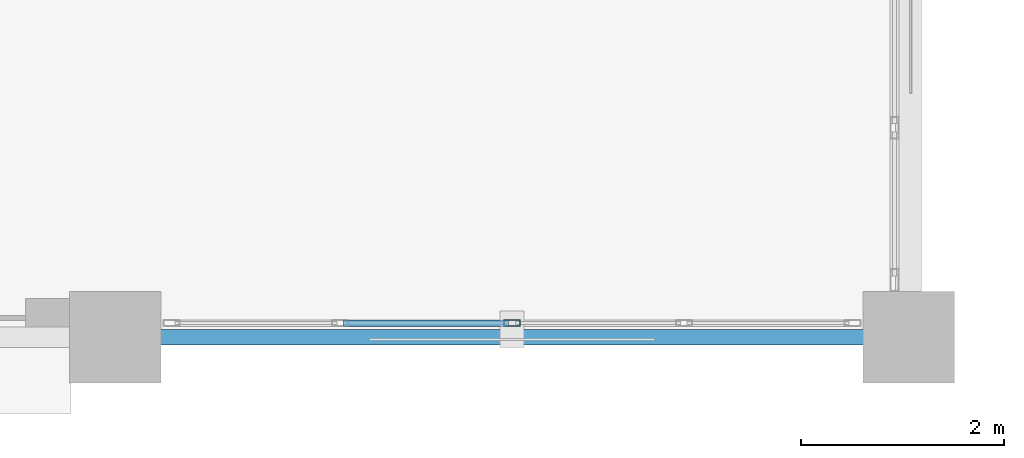
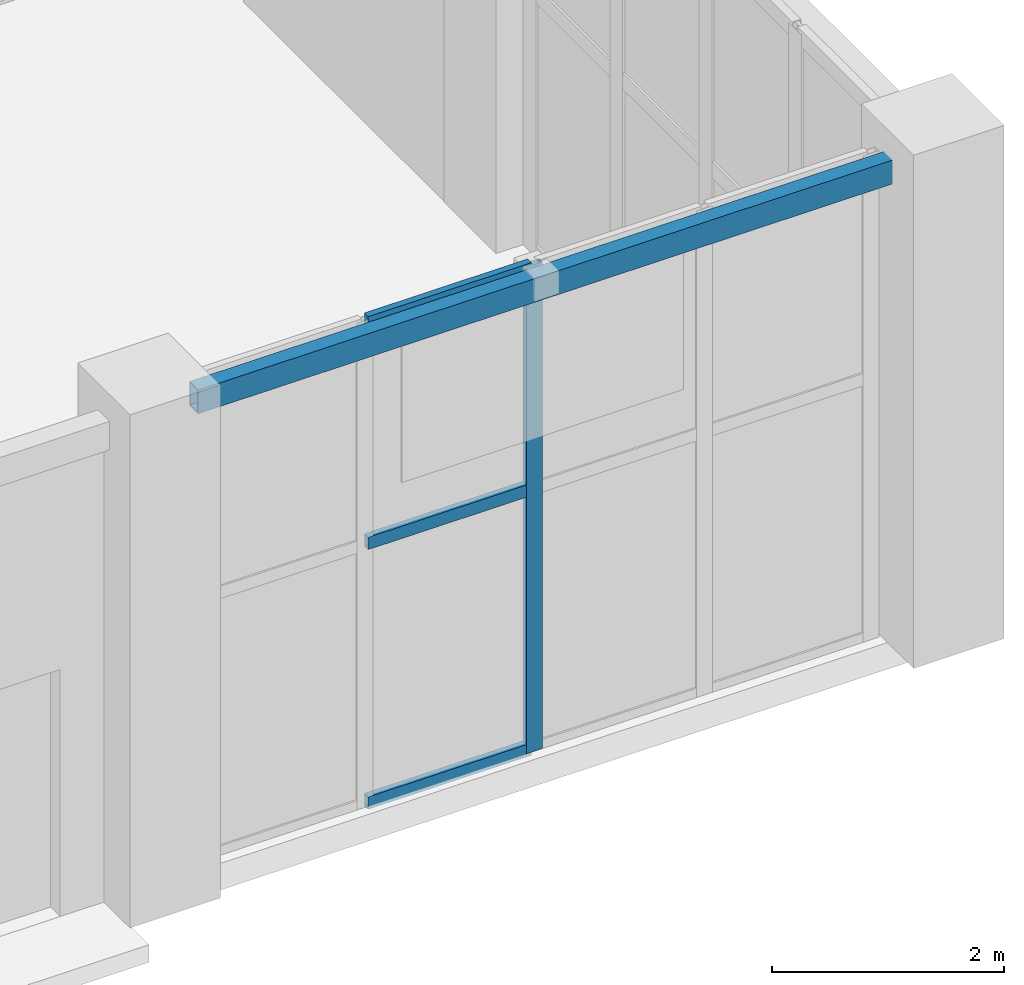
# One storey, part 79 of 139: 4 members, 1 beam, 1 element without a shape of its own.
"""IFC4 building model written with IfcOpenShell, lengths in metres."""

from ifc_helpers import new_model, si_unit, direction, frame, origin, origin_2d, place, context, subcontext, project, spatial, hollow_rectangle, extrude, material, layer, layer_set, material_profile, profile_set, type_object, element, aggregate, save


model = new_model("IFC4")

# Units and contexts
model_context = context("Model", 3, precision=1e-05, world=origin(), true_north=direction((0.0, 1.0)))
body_context = subcontext(model_context, "Body", "Model", "MODEL_VIEW")
ifc_project = project(units=[si_unit("LENGTHUNIT", "METRE"), si_unit("AREAUNIT", "SQUARE_METRE"), si_unit("VOLUMEUNIT", "CUBIC_METRE"), si_unit("PLANEANGLEUNIT", "RADIAN"), si_unit("MASSUNIT", "GRAM", prefix="KILO")], contexts=[model_context])

# Site, building, storey
site_placement = place(None, origin())
site = spatial("IfcSite", under=ifc_project, at=site_placement, CompositionType="ELEMENT")
building_placement = place(site_placement, origin())
building = spatial("IfcBuilding", under=site, at=building_placement, Name="Xicomal Pleat Aquarium", CompositionType="ELEMENT")
storey_placement = place(building_placement, origin())
storey = spatial("IfcBuildingStorey", under=building, at=storey_placement, Name="L01", CompositionType="ELEMENT", Elevation=0.0)

# Beam
ifc_material_1 = material(Name="Structural steel A500 Gr C", Category="steel")
ifc_material_profile_1 = material_profile(ifc_material_1, hollow_rectangle(XDim=0.14990234375, YDim=0.25, WallThickness=0.010009765625, at=origin_2d()), Name="OR 250x150x10")
ifc_profile_set_1 = profile_set([ifc_material_profile_1], Name="Structural steel A500 Gr C")
beam_type = type_object("IfcBeamType", Name="BM-STL-OR250", PredefinedType="SPANDREL", material=ifc_profile_set_1)
beam_placement = place(storey_placement, frame((157.64501953125, 0.800048828125, 4.9951171875), z_axis=(1.0, 0.0, 0.0), x_axis=(0.0, 1.0, 0.0)))
element("IfcBeam", 1, at=beam_placement, inside=storey, type_object=beam_type, Name="L01 framing beam FGX-L01-20-21-A", PredefinedType="SPANDREL", context=body_context, shape_type="SweptSolid", body=[
    extrude(hollow_rectangle(XDim=0.14990234375, YDim=0.25, WallThickness=0.010009765625, at=origin_2d()), origin(), (0.0, 0.0, 1.0), 6.909912109375),
])

# Curtain wall, members
ifc_material_2 = material(Name="Bronze anodized aluminium 6063-T6", Category="aluminium")
ifc_layer = layer(ifc_material_2, 0.159912109375)
ifc_layer_set = layer_set([ifc_layer], Name="Bronze anodized aluminium 6063-T6")
curtain_wall_type = type_object("IfcCurtainWallType", Name="CW-SYS-01", PredefinedType="NOTDEFINED", material=ifc_layer_set)
curtain_wall_placement = place(storey_placement, origin())
curtain_wall = element("IfcCurtainWall", 2, at=curtain_wall_placement, inside=storey, type_object=curtain_wall_type, Name="L01 unitised curtain wall CW-L01-060", PredefinedType="NOTDEFINED")
ifc_material_3 = material(Name="Bronze anodized aluminium 6063-T6", Category="aluminium")
ifc_material_profile_2 = material_profile(ifc_material_3, hollow_rectangle(XDim=0.06494140625, YDim=0.159912109375, WallThickness=0.00390625, at=origin_2d()), Name="ALU MULL 65x160")
ifc_profile_set_2 = profile_set([ifc_material_profile_2], Name="Bronze anodized aluminium 6063-T6")
member_type_1 = type_object("IfcMemberType", Name="CWM-65x160", PredefinedType="MULLION", material=ifc_profile_set_2)
member_1_placement = place(storey_placement, frame((161.10009765625, 0.93994140625, 0.0), z_axis=(0.0, 0.0, 1.0), x_axis=(0.0, -1.0, 0.0)))
member_1 = element("IfcMember", 3, at=member_1_placement, type_object=member_type_1, Name="CW-01 mullion 3", PredefinedType="MULLION", context=body_context, shape_type="SweptSolid", body=[
    extrude(hollow_rectangle(XDim=0.06494140625, YDim=0.159912109375, WallThickness=0.00390625, at=origin_2d()), origin(), (0.0, 0.0, 1.0), 5.1201171875),
])
ifc_material_4 = material(Name="Bronze anodized aluminium 6063-T6", Category="aluminium")
ifc_material_profile_3 = material_profile(ifc_material_4, hollow_rectangle(XDim=0.06494140625, YDim=0.1298828125, WallThickness=0.00390625, at=origin_2d()), Name="ALU TRAN 65x130")
ifc_profile_set_3 = profile_set([ifc_material_profile_3], Name="Bronze anodized aluminium 6063-T6")
member_type_2 = type_object("IfcMemberType", Name="CWT-65x130", PredefinedType="USERDEFINED", material=ifc_profile_set_3)
member_2_placement = place(storey_placement, frame((161.0673828125, 0.93994140625, 0.032470703125), z_axis=(-1.0, 0.0, 0.0), x_axis=(0.0, -1.0, 0.0)))
member_2 = element("IfcMember", 4, at=member_2_placement, type_object=member_type_2, Name="CW-01 transom 3.1", ObjectType="TRANSOM", PredefinedType="USERDEFINED", context=body_context, shape_type="SweptSolid", body=[
    extrude(hollow_rectangle(XDim=0.06494140625, YDim=0.1298828125, WallThickness=0.00390625, at=origin_2d()), origin(), (0.0, 0.0, 1.0), 1.625),
])
member_3_placement = place(storey_placement, frame((161.0673828125, 0.93994140625, 2.764892578125), z_axis=(-1.0, 0.0, 0.0), x_axis=(0.0, -1.0, 0.0)))
member_3 = element("IfcMember", 5, at=member_3_placement, type_object=member_type_2, Name="CW-01 transom 3.2", ObjectType="TRANSOM", PredefinedType="USERDEFINED", context=body_context, shape_type="SweptSolid", body=[
    extrude(hollow_rectangle(XDim=0.06494140625, YDim=0.1298828125, WallThickness=0.00390625, at=origin_2d()), origin(), (0.0, 0.0, 1.0), 1.625),
])
member_4_placement = place(storey_placement, frame((161.0673828125, 0.93994140625, 5.08740234375), z_axis=(-1.0, 0.0, 0.0), x_axis=(0.0, -1.0, 0.0)))
member_4 = element("IfcMember", 6, at=member_4_placement, type_object=member_type_2, Name="CW-01 transom 3.3", ObjectType="TRANSOM", PredefinedType="USERDEFINED", context=body_context, shape_type="SweptSolid", body=[
    extrude(hollow_rectangle(XDim=0.06494140625, YDim=0.1298828125, WallThickness=0.00390625, at=origin_2d()), origin(), (0.0, 0.0, 1.0), 1.625),
])
aggregate(curtain_wall, [member_1, member_2, member_3, member_4])

save(model, "model.ifc")
